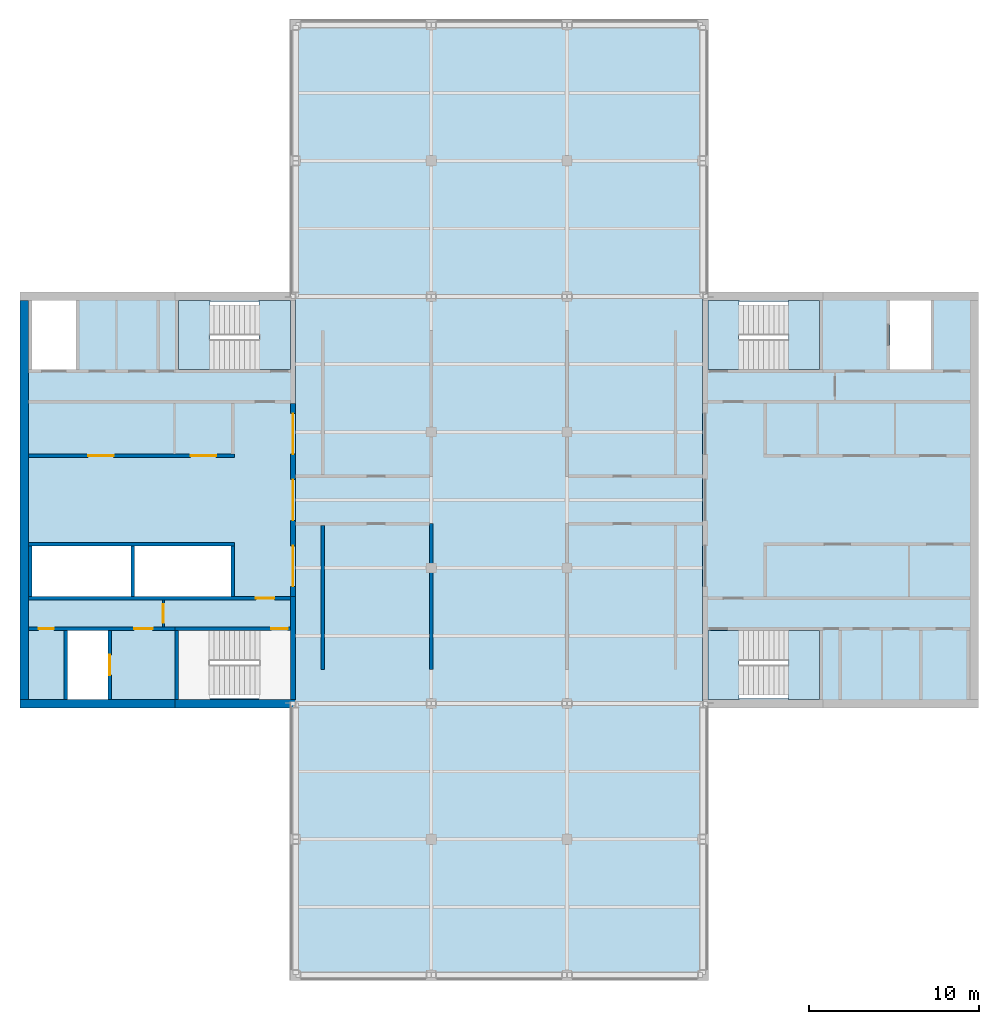
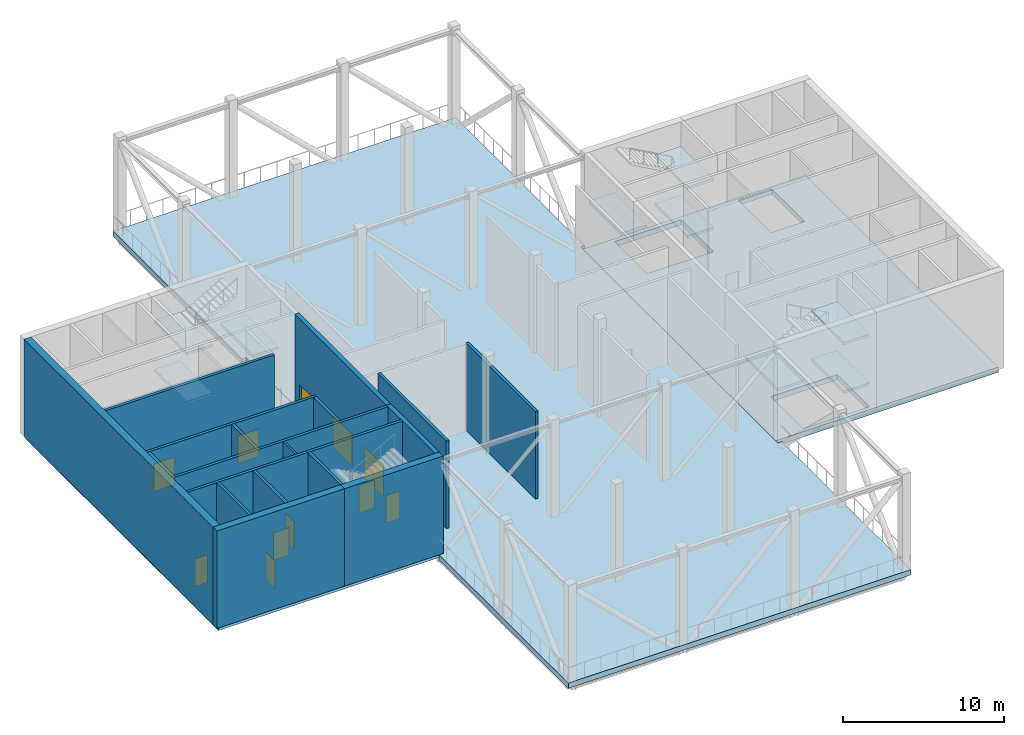
# One storey, part 2 of 9: 19 walls, 12 slabs, 11 doors, 11 openings, 3 elements without a shape of their own.
"""IFC4 building model written with IfcOpenShell, lengths in metres."""

from ifc_helpers import new_model, si_unit, direction, frame, frame_2d, origin, place, context, subcontext, project, spatial, polyline, rectangle, outline, extrude, material, layer, layer_set, constituent, constituent_set, type_object, element, fill, aggregate, save


model = new_model("IFC4")

# Units and contexts
model_context = context("Model", 3, precision=1e-05, world=origin(), true_north=direction((0.0, 1.0)))
body_context = subcontext(model_context, "Body", "Model", "MODEL_VIEW")
ifc_project = project(units=[si_unit("LENGTHUNIT", "METRE"), si_unit("AREAUNIT", "SQUARE_METRE"), si_unit("VOLUMEUNIT", "CUBIC_METRE"), si_unit("PLANEANGLEUNIT", "RADIAN"), si_unit("MASSUNIT", "GRAM", prefix="KILO")], contexts=[model_context])

# Site, building, storey
site_placement = place(None, origin())
site = spatial("IfcSite", under=ifc_project, at=site_placement, CompositionType="ELEMENT")
building_placement = place(site_placement, origin())
building = spatial("IfcBuilding", under=site, at=building_placement, Name="Crosswind Convention Tower", CompositionType="ELEMENT")
storey_placement = place(building_placement, frame((0.0, 0.0, 303.89990234375)))
storey = spatial("IfcBuildingStorey", under=building, at=storey_placement, Name="L66", CompositionType="ELEMENT", Elevation=303.89990234375)

# Slabs
ifc_material_1 = material(Name="Concrete C40/50", Category="concrete")
ifc_layer_1 = layer(ifc_material_1, 0.39990234375)
ifc_layer_set_1 = layer_set([ifc_layer_1], Name="Concrete C40/50")
slab_type_1 = type_object("IfcSlabType", Name="Composite floor slab 400", PredefinedType="FLOOR", material=ifc_layer_set_1)
slab_1_placement = place(storey_placement, frame((0.0, 0.0, -0.39990234375)))
element("IfcSlab", 1, at=slab_1_placement, inside=storey, type_object=slab_type_1, Name="Floor slab L66", PredefinedType="FLOOR", context=body_context, shape_type="SweptSolid", body=[
    extrude(outline(polyline([(137.300048828125, 71.699951171875), (137.0, 71.699951171875), (113.0, 71.699951171875), (112.699951171875, 71.699951171875), (112.699951171875, 72.0), (112.699951171875, 87.75), (113.0, 87.75), (113.0, 112.25), (112.699951171875, 112.25), (112.699951171875, 128.0), (112.699951171875, 128.300048828125), (113.0, 128.300048828125), (137.0, 128.300048828125), (137.300048828125, 128.300048828125), (137.300048828125, 128.0), (137.300048828125, 112.25), (137.0, 112.25), (137.0, 87.75), (137.300048828125, 87.75), (137.300048828125, 72.0), (137.300048828125, 71.699951171875)])), origin(), (0.0, 0.0, 1.0), 0.39990234375),
])
ifc_layer_2 = layer(ifc_material_1, 0.39990234375)
ifc_layer_set_2 = layer_set([ifc_layer_2], Name="Concrete C40/50")
slab_type_2 = type_object("IfcSlabType", Name="Concrete core floor slab 400", PredefinedType="FLOOR", material=ifc_layer_set_2)
slab_2_placement = place(storey_placement, frame((0.0, 0.0, -0.39990234375)))
element("IfcSlab", 2, at=slab_2_placement, inside=storey, type_object=slab_type_2, Name="Core floor slab E L66", PredefinedType="FLOOR", context=body_context, shape_type="SweptSolid", body=[
    extrude(outline(polyline([(137.0, 88.0), (153.0, 88.0), (153.0, 112.0), (137.0, 112.0), (137.0, 88.0)]), holes=[polyline([(150.449951171875, 107.699951171875), (150.449951171875, 111.75), (148.050048828125, 111.75), (148.050048828125, 107.699951171875), (150.449951171875, 107.699951171875)]), polyline([(143.89990234375, 107.699951171875), (143.89990234375, 111.699951171875), (139.14990234375, 111.699951171875), (139.14990234375, 107.699951171875), (143.89990234375, 107.699951171875)]), polyline([(143.89990234375, 88.300048828125), (143.89990234375, 92.300048828125), (139.14990234375, 92.300048828125), (139.14990234375, 88.300048828125), (143.89990234375, 88.300048828125)])]), origin(), (0.0, 0.0, 1.0), 0.39990234375),
])
slab_3_placement = place(storey_placement, frame((0.0, 0.0, -0.39990234375)))
element("IfcSlab", 3, at=slab_3_placement, inside=storey, type_object=slab_type_2, Name="Core floor slab W L66", PredefinedType="FLOOR", context=body_context, shape_type="SweptSolid", body=[
    extrude(outline(polyline([(97.0, 88.0), (113.0, 88.0), (113.0, 112.0), (97.0, 112.0), (97.0, 88.0)]), holes=[polyline([(109.199951171875, 94.300048828125), (109.199951171875, 97.300048828125), (103.5, 97.300048828125), (103.5, 94.300048828125), (109.199951171875, 94.300048828125)]), polyline([(103.300048828125, 94.300048828125), (103.300048828125, 97.300048828125), (97.449951171875, 97.300048828125), (97.449951171875, 94.300048828125), (103.300048828125, 94.300048828125)]), polyline([(101.949951171875, 88.25), (101.949951171875, 92.300048828125), (99.550048828125, 92.300048828125), (99.550048828125, 88.25), (101.949951171875, 88.25)]), polyline([(100.050048828125, 107.699951171875), (100.050048828125, 111.75), (97.449951171875, 111.75), (97.449951171875, 107.699951171875), (100.050048828125, 107.699951171875)]), polyline([(110.85009765625, 88.300048828125), (110.85009765625, 92.300048828125), (106.10009765625, 92.300048828125), (106.10009765625, 88.300048828125), (110.85009765625, 88.300048828125)]), polyline([(110.85009765625, 107.699951171875), (110.85009765625, 111.699951171875), (106.10009765625, 111.699951171875), (106.10009765625, 107.699951171875), (110.85009765625, 107.699951171875)])]), origin(), (0.0, 0.0, 1.0), 0.39990234375),
])

# Stair, slabs
stair_type = type_object("IfcStairType", Name="Exit stair 1800 wide, 4 flights of 11 risers", PredefinedType="HALF_TURN_STAIR", material=ifc_material_1)
stair_1_placement = place(storey_placement, origin())
stair_1 = element("IfcStair", 4, at=stair_1_placement, inside=storey, type_object=stair_type, Name="Exit stair ST1 L66", ObjectType="ST6", PredefinedType="HALF_TURN_STAIR")
ifc_layer_3 = layer(ifc_material_1, 0.199951171875)
ifc_layer_set_3 = layer_set([ifc_layer_3], Name="Concrete C40/50")
slab_type_3 = type_object("IfcSlabType", Name="Stair landing 200", PredefinedType="LANDING", material=ifc_layer_set_3)
slab_4_placement = place(storey_placement, frame((0.0, 0.0, 1.650146484375)))
slab_4 = element("IfcSlab", 5, at=slab_4_placement, type_object=slab_type_3, Name="ST1 landing 1", PredefinedType="LANDING", context=body_context, shape_type="SweptSolid", body=[
    extrude(outline(polyline([(143.89990234375, 107.699951171875), (143.89990234375, 111.75), (142.050048828125, 111.75), (142.050048828125, 107.699951171875), (143.89990234375, 107.699951171875)])), origin(), (0.0, 0.0, 1.0), 0.199951171875),
])
slab_5_placement = place(storey_placement, frame((0.0, 0.0, 3.5)))
slab_5 = element("IfcSlab", 6, at=slab_5_placement, type_object=slab_type_3, Name="ST1 landing 2", PredefinedType="LANDING", context=body_context, shape_type="SweptSolid", body=[
    extrude(outline(polyline([(139.14990234375, 107.699951171875), (139.14990234375, 111.75), (137.300048828125, 111.75), (137.300048828125, 107.699951171875), (139.14990234375, 107.699951171875)])), origin(), (0.0, 0.0, 1.0), 0.2001953125),
])
slab_6_placement = place(storey_placement, frame((0.0, 0.0, 5.35009765625)))
slab_6 = element("IfcSlab", 7, at=slab_6_placement, type_object=slab_type_3, Name="ST1 landing 3", PredefinedType="LANDING", context=body_context, shape_type="SweptSolid", body=[
    extrude(outline(polyline([(143.89990234375, 107.699951171875), (143.89990234375, 111.75), (142.050048828125, 111.75), (142.050048828125, 107.699951171875), (143.89990234375, 107.699951171875)])), origin(), (0.0, 0.0, 1.0), 0.199951171875),
])
aggregate(stair_1, [slab_4, slab_5, slab_6])

stair_2_placement = place(storey_placement, origin())
stair_2 = element("IfcStair", 8, at=stair_2_placement, inside=storey, type_object=stair_type, Name="Exit stair ST2 L66", ObjectType="ST6", PredefinedType="HALF_TURN_STAIR")
slab_7_placement = place(storey_placement, frame((0.0, 0.0, 1.650146484375)))
slab_7 = element("IfcSlab", 9, at=slab_7_placement, type_object=slab_type_3, Name="ST2 landing 1", PredefinedType="LANDING", context=body_context, shape_type="SweptSolid", body=[
    extrude(outline(polyline([(143.89990234375, 88.25), (143.89990234375, 92.300048828125), (142.050048828125, 92.300048828125), (142.050048828125, 88.25), (143.89990234375, 88.25)])), origin(), (0.0, 0.0, 1.0), 0.199951171875),
])
slab_8_placement = place(storey_placement, frame((0.0, 0.0, 3.5)))
slab_8 = element("IfcSlab", 10, at=slab_8_placement, type_object=slab_type_3, Name="ST2 landing 2", PredefinedType="LANDING", context=body_context, shape_type="SweptSolid", body=[
    extrude(outline(polyline([(139.14990234375, 88.25), (139.14990234375, 92.300048828125), (137.300048828125, 92.300048828125), (137.300048828125, 88.25), (139.14990234375, 88.25)])), origin(), (0.0, 0.0, 1.0), 0.2001953125),
])
slab_9_placement = place(storey_placement, frame((0.0, 0.0, 5.35009765625)))
slab_9 = element("IfcSlab", 11, at=slab_9_placement, type_object=slab_type_3, Name="ST2 landing 3", PredefinedType="LANDING", context=body_context, shape_type="SweptSolid", body=[
    extrude(outline(polyline([(143.89990234375, 88.25), (143.89990234375, 92.300048828125), (142.050048828125, 92.300048828125), (142.050048828125, 88.25), (143.89990234375, 88.25)])), origin(), (0.0, 0.0, 1.0), 0.199951171875),
])
aggregate(stair_2, [slab_7, slab_8, slab_9])

stair_3_placement = place(storey_placement, origin())
stair_3 = element("IfcStair", 12, at=stair_3_placement, inside=storey, type_object=stair_type, Name="Exit stair ST4 L66", ObjectType="ST6", PredefinedType="HALF_TURN_STAIR")
slab_10_placement = place(storey_placement, frame((0.0, 0.0, 1.650146484375)))
slab_10 = element("IfcSlab", 13, at=slab_10_placement, type_object=slab_type_3, Name="ST4 landing 1", PredefinedType="LANDING", context=body_context, shape_type="SweptSolid", body=[
    extrude(outline(polyline([(107.949951171875, 107.699951171875), (107.949951171875, 111.75), (106.10009765625, 111.75), (106.10009765625, 107.699951171875), (107.949951171875, 107.699951171875)])), origin(), (0.0, 0.0, 1.0), 0.199951171875),
])
slab_11_placement = place(storey_placement, frame((0.0, 0.0, 3.5)))
slab_11 = element("IfcSlab", 14, at=slab_11_placement, type_object=slab_type_3, Name="ST4 landing 2", PredefinedType="LANDING", context=body_context, shape_type="SweptSolid", body=[
    extrude(outline(polyline([(112.699951171875, 107.699951171875), (112.699951171875, 111.75), (110.85009765625, 111.75), (110.85009765625, 107.699951171875), (112.699951171875, 107.699951171875)])), origin(), (0.0, 0.0, 1.0), 0.2001953125),
])
slab_12_placement = place(storey_placement, frame((0.0, 0.0, 5.35009765625)))
slab_12 = element("IfcSlab", 15, at=slab_12_placement, type_object=slab_type_3, Name="ST4 landing 3", PredefinedType="LANDING", context=body_context, shape_type="SweptSolid", body=[
    extrude(outline(polyline([(107.949951171875, 107.699951171875), (107.949951171875, 111.75), (106.10009765625, 111.75), (106.10009765625, 107.699951171875), (107.949951171875, 107.699951171875)])), origin(), (0.0, 0.0, 1.0), 0.199951171875),
])
aggregate(stair_3, [slab_10, slab_11, slab_12])

# Walls
ifc_material_2 = material(Name="Concrete blockwork", Category="masonry")
ifc_layer_4 = layer(ifc_material_2, 0.199951171875)
ifc_layer_set_4 = layer_set([ifc_layer_4], Name="COMPARTMENT WALL 200 BLOCKWORK")
wall_type_1 = type_object("IfcWallType", Name="COMPARTMENT WALL 200 BLOCKWORK", PredefinedType="SOLIDWALL", material=ifc_layer_set_4)
wall_1_placement = place(storey_placement, frame((114.60009765625, 90.0, 0.0), z_axis=(0.0, 0.0, 1.0), x_axis=(0.0, 1.0, 0.0)))
element("IfcWall", 16, at=wall_1_placement, inside=storey, type_object=wall_type_1, Name="Compartment wall WT42", PredefinedType="SOLIDWALL", context=body_context, shape_type="SweptSolid", body=[
    extrude(rectangle(XDim=8.5, YDim=0.199951171875, at=frame_2d((4.25, 0.0))), origin(), (0.0, 0.0, 1.0), 6.642822265625),
])
wall_2_placement = place(storey_placement, frame((121.0, 90.0, 0.0), z_axis=(0.0, 0.0, 1.0), x_axis=(0.0, 1.0, 0.0)))
element("IfcWall", 17, at=wall_2_placement, inside=storey, type_object=wall_type_1, Name="Compartment wall WT42", PredefinedType="SOLIDWALL", context=body_context, shape_type="SweptSolid", body=[
    extrude(rectangle(XDim=8.60009765625, YDim=0.199951171875, at=frame_2d((4.300048828125, 0.0))), origin(), (0.0, 0.0, 1.0), 6.642822265625),
])

# Wall, openings, doors
ifc_material_3 = material(Name="Concrete C50/60", Category="concrete")
ifc_layer_5 = layer(ifc_material_3, 0.300048828125)
ifc_layer_set_5 = layer_set([ifc_layer_5], Name="Concrete C50/60")
wall_type_2 = type_object("IfcWallType", Name="Concrete inner core wall 300", PredefinedType="SHEAR", material=ifc_layer_set_5)
wall_3_placement = place(storey_placement, frame((112.85009765625, 105.699951171875, 0.0), z_axis=(0.0, 0.0, 1.0), x_axis=(0.0, -1.0, 0.0)))
wall_3 = element("IfcWall", 18, at=wall_3_placement, inside=storey, type_object=wall_type_2, Name="Wall SCR W L66", PredefinedType="SHEAR", context=body_context, shape_type="SweptSolid", body=[
    extrude(rectangle(XDim=11.39990234375, YDim=0.300048828125, at=frame_2d((5.699951171875, 0.0))), origin(), (0.0, 0.0, 1.0), 7.400146484375),
])
opening_1_placement = place(wall_3_placement, frame((0.60009765625, 0.0, 0.0)))
opening_1 = element("IfcOpeningElement", 19, at=opening_1_placement, cuts=wall_3, Name="Opening D100", PredefinedType="OPENING", context=body_context, shape_type="SweptSolid", body=[
    extrude(rectangle(XDim=2.39990234375, YDim=2.39990234375, at=frame_2d((1.199951171875, 1.199951171875))), frame((0.0, 0.159912109375, 0.0), z_axis=(0.0, -1.0, 0.0), x_axis=(1.0, 0.0, 0.0)), (0.0, 0.0, 1.0), 0.320068359375),
])
opening_2_placement = place(wall_3_placement, frame((4.5, 0.0, 0.0)))
opening_2 = element("IfcOpeningElement", 20, at=opening_2_placement, cuts=wall_3, Name="Opening D100", PredefinedType="OPENING", context=body_context, shape_type="SweptSolid", body=[
    extrude(rectangle(XDim=2.39990234375, YDim=2.39990234375, at=frame_2d((1.199951171875, 1.199951171875))), frame((0.0, 0.159912109375, 0.0), z_axis=(0.0, -1.0, 0.0), x_axis=(1.0, 0.0, 0.0)), (0.0, 0.0, 1.0), 0.320068359375),
])
opening_3_placement = place(wall_3_placement, frame((8.39990234375, 0.0, 0.0)))
opening_3 = element("IfcOpeningElement", 21, at=opening_3_placement, cuts=wall_3, Name="Opening D100", PredefinedType="OPENING", context=body_context, shape_type="SweptSolid", body=[
    extrude(rectangle(XDim=2.39990234375, YDim=2.39990234375, at=frame_2d((1.199951171875, 1.199951171875))), frame((0.0, 0.159912109375, 0.0), z_axis=(0.0, -1.0, 0.0), x_axis=(1.0, 0.0, 0.0)), (0.0, 0.0, 1.0), 0.320068359375),
])
ifc_material_4 = material(Name="Steel fire door with glazed vision panels", Category="steel")
door_type_1 = type_object("IfcDoorType", Name="Fire-rated double door 2400x2400", OperationType="DOUBLE_DOOR_SINGLE_SWING", PredefinedType="DOOR", material=ifc_material_4)
door_1_placement = place(opening_1_placement, origin())
door_1 = element("IfcDoor", 22, at=door_1_placement, inside=storey, type_object=door_type_1, Name="Lobby door 1 L66", ObjectType="D100", OperationType="DOUBLE_DOOR_SINGLE_SWING", OverallHeight=2.39990234375, OverallWidth=2.39990234375, PredefinedType="DOOR", context=body_context, shape_type="SweptSolid", body=[
    extrude(rectangle(XDim=2.39990234375, YDim=2.39990234375, at=frame_2d((1.199951171875, 1.199951171875))), frame((0.0, 0.02490234375, 0.0), z_axis=(0.0, -1.0, 0.0), x_axis=(1.0, 0.0, 0.0)), (0.0, 0.0, 1.0), 0.050048828125),
])
fill(opening_1, door_1)
door_2_placement = place(opening_2_placement, origin())
door_2 = element("IfcDoor", 23, at=door_2_placement, inside=storey, type_object=door_type_1, Name="Lobby door 2 L66", ObjectType="D100", OperationType="DOUBLE_DOOR_SINGLE_SWING", OverallHeight=2.39990234375, OverallWidth=2.39990234375, PredefinedType="DOOR", context=body_context, shape_type="SweptSolid", body=[
    extrude(rectangle(XDim=2.39990234375, YDim=2.39990234375, at=frame_2d((1.199951171875, 1.199951171875))), frame((0.0, 0.02490234375, 0.0), z_axis=(0.0, -1.0, 0.0), x_axis=(1.0, 0.0, 0.0)), (0.0, 0.0, 1.0), 0.050048828125),
])
fill(opening_2, door_2)
door_3_placement = place(opening_3_placement, origin())
door_3 = element("IfcDoor", 24, at=door_3_placement, inside=storey, type_object=door_type_1, Name="Lobby door 3 L66", ObjectType="D100", OperationType="DOUBLE_DOOR_SINGLE_SWING", OverallHeight=2.39990234375, OverallWidth=2.39990234375, PredefinedType="DOOR", context=body_context, shape_type="SweptSolid", body=[
    extrude(rectangle(XDim=2.39990234375, YDim=2.39990234375, at=frame_2d((1.199951171875, 1.199951171875))), frame((0.0, 0.02490234375, 0.0), z_axis=(0.0, -1.0, 0.0), x_axis=(1.0, 0.0, 0.0)), (0.0, 0.0, 1.0), 0.050048828125),
])
fill(opening_3, door_3)

# Walls
wall_4_placement = place(storey_placement, frame((112.85009765625, 94.300048828125, 0.0), z_axis=(0.0, 0.0, 1.0), x_axis=(0.0, -1.0, 0.0)))
element("IfcWall", 25, at=wall_4_placement, inside=storey, type_object=wall_type_2, Name="Wall EP W L66", PredefinedType="SHEAR", context=body_context, shape_type="SweptSolid", body=[
    extrude(rectangle(XDim=6.050048828125, YDim=0.300048828125, at=frame_2d((3.02490234375, 0.0))), origin(), (0.0, 0.0, 1.0), 7.400146484375),
])
ifc_layer_6 = layer(ifc_material_3, 0.199951171875)
ifc_layer_set_6 = layer_set([ifc_layer_6], Name="Concrete C50/60")
wall_type_3 = type_object("IfcWallType", Name="Concrete shaft and stair wall 200", PredefinedType="SHEAR", material=ifc_layer_set_6)
for number, where, z_axis, x_axis, name in (
    (26, (109.300048828125, 97.300048828125, 0.0), (0.0, 0.0, 1.0), (0.0, -1.0, 0.0), "Wall RPEND W L66"),
    (27, (103.39990234375, 97.300048828125, 0.0), (0.0, 0.0, 1.0), (0.0, -1.0, 0.0), "Wall RPSEP W L66"),
    (28, (97.35009765625, 97.300048828125, 0.0), (0.0, 0.0, 1.0), (0.0, -1.0, 0.0), "Wall RPEAST W L66"),
):
    element("IfcWall", number, at=place(storey_placement, frame(where, z_axis=z_axis, x_axis=x_axis)), inside=storey, type_object=wall_type_3, Name=name, PredefinedType="SHEAR", context=body_context, shape_type="SweptSolid", body=[
        extrude(rectangle(XDim=3.0, YDim=0.199951171875, at=frame_2d((1.5, 0.0))), origin(), (0.0, 0.0, 1.0), 7.400146484375),
    ])
wall_5_placement = place(storey_placement, frame((109.39990234375, 97.39990234375, 0.0), z_axis=(0.0, 0.0, 1.0), x_axis=(-1.0, 0.0, 0.0)))
element("IfcWall", 29, at=wall_5_placement, inside=storey, type_object=wall_type_3, Name="Wall RPFRONT W L66", PredefinedType="SHEAR", context=body_context, shape_type="SweptSolid", body=[
    extrude(rectangle(XDim=12.14990234375, YDim=0.199951171875, at=frame_2d((6.074951171875, 0.0))), origin(), (0.0, 0.0, 1.0), 7.400146484375),
])

# Wall, openings, doors
wall_6_placement = place(storey_placement, frame((109.39990234375, 102.60009765625, 0.0), z_axis=(0.0, 0.0, 1.0), x_axis=(-1.0, 0.0, 0.0)))
wall_6 = element("IfcWall", 30, at=wall_6_placement, inside=storey, type_object=wall_type_3, Name="Wall RMFRONT W L66", PredefinedType="SHEAR", context=body_context, shape_type="SweptSolid", body=[
    extrude(rectangle(XDim=12.14990234375, YDim=0.199951171875, at=frame_2d((6.074951171875, 0.0))), origin(), (0.0, 0.0, 1.0), 7.400146484375),
])
opening_4_placement = place(wall_6_placement, frame((1.091796875, 0.0, 0.0)))
opening_4 = element("IfcOpeningElement", 31, at=opening_4_placement, cuts=wall_6, Name="Opening D108", PredefinedType="OPENING", context=body_context, shape_type="SweptSolid", body=[
    extrude(rectangle(XDim=1.5, YDim=2.10009765625, at=frame_2d((0.75, 1.050048828125))), frame((0.0, 0.10986328125, 0.0), z_axis=(0.0, -1.0, 0.0), x_axis=(1.0, 0.0, 0.0)), (0.0, 0.0, 1.0), 0.219970703125),
])
opening_5_placement = place(wall_6_placement, frame((7.129150390625, 0.0, 0.0)))
opening_5 = element("IfcOpeningElement", 32, at=opening_5_placement, cuts=wall_6, Name="Opening D108", PredefinedType="OPENING", context=body_context, shape_type="SweptSolid", body=[
    extrude(rectangle(XDim=1.5, YDim=2.10009765625, at=frame_2d((0.75, 1.050048828125))), frame((0.0, 0.10986328125, 0.0), z_axis=(0.0, -1.0, 0.0), x_axis=(1.0, 0.0, 0.0)), (0.0, 0.0, 1.0), 0.219970703125),
])
ifc_material_5 = material(Name="Steel fire door", Category="steel")
door_type_2 = type_object("IfcDoorType", Name="Plant room double door 1500x2100", OperationType="DOUBLE_DOOR_SINGLE_SWING", PredefinedType="DOOR", material=ifc_material_5)
door_4_placement = place(opening_4_placement, frame((1.5, 0.0, 0.0), z_axis=(0.0, 0.0, 1.0), x_axis=(-1.0, 0.0, 0.0)))
door_4 = element("IfcDoor", 33, at=door_4_placement, inside=storey, type_object=door_type_2, Name="Door to plant room L66", ObjectType="D108", OperationType="DOUBLE_DOOR_SINGLE_SWING", OverallHeight=2.10009765625, OverallWidth=1.5, PredefinedType="DOOR", context=body_context, shape_type="SweptSolid", body=[
    extrude(rectangle(XDim=1.5, YDim=2.10009765625, at=frame_2d((0.75, 1.050048828125))), frame((0.0, 0.02490234375, 0.0), z_axis=(0.0, -1.0, 0.0), x_axis=(1.0, 0.0, 0.0)), (0.0, 0.0, 1.0), 0.050048828125),
])
fill(opening_4, door_4)
door_5_placement = place(opening_5_placement, frame((1.5, 0.0, 0.0), z_axis=(0.0, 0.0, 1.0), x_axis=(-1.0, 0.0, 0.0)))
door_5 = element("IfcDoor", 34, at=door_5_placement, inside=storey, type_object=door_type_2, Name="Door to electrical plant room L66", ObjectType="D108", OperationType="DOUBLE_DOOR_SINGLE_SWING", OverallHeight=2.10009765625, OverallWidth=1.5, PredefinedType="DOOR", context=body_context, shape_type="SweptSolid", body=[
    extrude(rectangle(XDim=1.5, YDim=2.10009765625, at=frame_2d((0.75, 1.050048828125))), frame((0.0, 0.02490234375, 0.0), z_axis=(0.0, -1.0, 0.0), x_axis=(1.0, 0.0, 0.0)), (0.0, 0.0, 1.0), 0.050048828125),
])
fill(opening_5, door_5)

# Wall, opening, door
wall_7_placement = place(storey_placement, frame((112.699951171875, 94.199951171875, 0.0), z_axis=(0.0, 0.0, 1.0), x_axis=(-1.0, 0.0, 0.0)))
wall_7 = element("IfcWall", 35, at=wall_7_placement, inside=storey, type_object=wall_type_3, Name="Wall HP W L66", PredefinedType="SHEAR", context=body_context, shape_type="SweptSolid", body=[
    extrude(rectangle(XDim=15.449951171875, YDim=0.199951171875, at=frame_2d((7.72509765625, 0.0))), origin(), (0.0, 0.0, 1.0), 7.400146484375),
])
opening_6_placement = place(wall_7_placement, frame((0.949951171875, 0.0, 0.0)))
opening_6 = element("IfcOpeningElement", 36, at=opening_6_placement, cuts=wall_7, Name="Opening D104", PredefinedType="OPENING", context=body_context, shape_type="SweptSolid", body=[
    extrude(rectangle(XDim=1.10009765625, YDim=2.10009765625, at=frame_2d((0.550048828125, 1.050048828125))), frame((0.0, 0.10986328125, 0.0), z_axis=(0.0, -1.0, 0.0), x_axis=(1.0, 0.0, 0.0)), (0.0, 0.0, 1.0), 0.219970703125),
])
door_type_3 = type_object("IfcDoorType", Name="Fire-rated single door 1100x2100", OperationType="NOTDEFINED", PredefinedType="DOOR", material=ifc_material_5)
door_6_placement = place(opening_6_placement, origin())
door_6 = element("IfcDoor", 37, at=door_6_placement, inside=storey, type_object=door_type_3, Name="Corridor door L66", ObjectType="D104", OperationType="SINGLE_SWING_LEFT", OverallHeight=2.10009765625, OverallWidth=1.10009765625, PredefinedType="DOOR", context=body_context, shape_type="SweptSolid", body=[
    extrude(rectangle(XDim=1.10009765625, YDim=2.10009765625, at=frame_2d((0.550048828125, 1.050048828125))), frame((0.0, 0.02490234375, 0.0), z_axis=(0.0, -1.0, 0.0), x_axis=(1.0, 0.0, 0.0)), (0.0, 0.0, 1.0), 0.050048828125),
])
fill(opening_6, door_6)

# Wall
wall_8_placement = place(storey_placement, frame((106.0, 92.300048828125, 0.0), z_axis=(0.0, 0.0, 1.0), x_axis=(0.0, -1.0, 0.0)))
element("IfcWall", 38, at=wall_8_placement, inside=storey, type_object=wall_type_3, Name="Wall PSE W L66", PredefinedType="SHEAR", context=body_context, shape_type="SweptSolid", body=[
    extrude(rectangle(XDim=4.050048828125, YDim=0.199951171875, at=frame_2d((2.02490234375, 0.0))), origin(), (0.0, 0.0, 1.0), 7.400146484375),
])

# Wall, opening, door
wall_9_placement = place(storey_placement, frame((102.050048828125, 92.300048828125, 0.0), z_axis=(0.0, 0.0, 1.0), x_axis=(0.0, -1.0, 0.0)))
wall_9 = element("IfcWall", 39, at=wall_9_placement, inside=storey, type_object=wall_type_3, Name="Wall PFLW W L66", PredefinedType="SHEAR", context=body_context, shape_type="SweptSolid", body=[
    extrude(rectangle(XDim=4.050048828125, YDim=0.199951171875, at=frame_2d((2.02490234375, 0.0))), origin(), (0.0, 0.0, 1.0), 7.400146484375),
])
opening_7_placement = place(wall_9_placement, frame((1.425048828125, 0.0, 0.0)))
opening_7 = element("IfcOpeningElement", 40, at=opening_7_placement, cuts=wall_9, Name="Opening LD1", PredefinedType="OPENING", context=body_context, shape_type="SweptSolid", body=[
    extrude(rectangle(XDim=1.199951171875, YDim=2.10009765625, at=frame_2d((0.60009765625, 1.050048828125))), frame((0.0, 0.10986328125, 0.0), z_axis=(0.0, -1.0, 0.0), x_axis=(1.0, 0.0, 0.0)), (0.0, 0.0, 1.0), 0.219970703125),
])
ifc_material_6 = material(Name="Stainless steel", Category="steel")
door_type_4 = type_object("IfcDoorType", Name="Lift landing door 1200x2100", OperationType="DOUBLE_DOOR_SLIDING", PredefinedType="DOOR", material=ifc_material_6)
door_7_placement = place(opening_7_placement, origin())
door_7 = element("IfcDoor", 41, at=door_7_placement, inside=storey, type_object=door_type_4, Name="Landing door FF2 L66", ObjectType="LD1", OperationType="DOUBLE_DOOR_SLIDING", OverallHeight=2.10009765625, OverallWidth=1.199951171875, PredefinedType="DOOR", context=body_context, shape_type="SweptSolid", body=[
    extrude(rectangle(XDim=1.199951171875, YDim=2.10009765625, at=frame_2d((0.60009765625, 1.050048828125))), frame((0.0, 0.02490234375, 0.0), z_axis=(0.0, -1.0, 0.0), x_axis=(1.0, 0.0, 0.0)), (0.0, 0.0, 1.0), 0.050048828125),
])
fill(opening_7, door_7)

# Wall
wall_10_placement = place(storey_placement, frame((99.449951171875, 92.300048828125, 0.0), z_axis=(0.0, 0.0, 1.0), x_axis=(0.0, -1.0, 0.0)))
element("IfcWall", 42, at=wall_10_placement, inside=storey, type_object=wall_type_3, Name="Wall PFSE W L66", PredefinedType="SHEAR", context=body_context, shape_type="SweptSolid", body=[
    extrude(rectangle(XDim=4.050048828125, YDim=0.199951171875, at=frame_2d((2.02490234375, 0.0))), origin(), (0.0, 0.0, 1.0), 7.400146484375),
])

# Wall, opening, door
wall_11_placement = place(storey_placement, frame((112.699951171875, 92.39990234375, 0.0), z_axis=(0.0, 0.0, 1.0), x_axis=(-1.0, 0.0, 0.0)))
wall_11 = element("IfcWall", 43, at=wall_11_placement, inside=storey, type_object=wall_type_3, Name="Wall PCW W L66", PredefinedType="SHEAR", context=body_context, shape_type="SweptSolid", body=[
    extrude(rectangle(XDim=6.800048828125, YDim=0.199951171875, at=frame_2d((3.39990234375, 0.0))), origin(), (0.0, 0.0, 1.0), 7.400146484375),
])
opening_8_placement = place(wall_11_placement, frame((0.14990234375, 0.0, 0.0)))
opening_8 = element("IfcOpeningElement", 44, at=opening_8_placement, cuts=wall_11, Name="Opening D103", PredefinedType="OPENING", context=body_context, shape_type="SweptSolid", body=[
    extrude(rectangle(XDim=1.0, YDim=2.10009765625, at=frame_2d((0.5, 1.050048828125))), frame((0.0, 0.10986328125, 0.0), z_axis=(0.0, -1.0, 0.0), x_axis=(1.0, 0.0, 0.0)), (0.0, 0.0, 1.0), 0.219970703125),
])
door_type_5 = type_object("IfcDoorType", Name="Fire-rated single door 1000x2100", OperationType="NOTDEFINED", PredefinedType="DOOR", material=ifc_material_5)
door_8_placement = place(opening_8_placement, origin())
door_8 = element("IfcDoor", 45, at=door_8_placement, inside=storey, type_object=door_type_5, Name="Stair ST3 door L66", ObjectType="D103", OperationType="SINGLE_SWING_LEFT", OverallHeight=2.10009765625, OverallWidth=1.0, PredefinedType="DOOR", context=body_context, shape_type="SweptSolid", body=[
    extrude(rectangle(XDim=1.0, YDim=2.10009765625, at=frame_2d((0.5, 1.050048828125))), frame((0.0, 0.02490234375, 0.0), z_axis=(0.0, -1.0, 0.0), x_axis=(1.0, 0.0, 0.0)), (0.0, 0.0, 1.0), 0.050048828125),
])
fill(opening_8, door_8)

# Wall, openings, doors
wall_12_placement = place(storey_placement, frame((105.89990234375, 92.39990234375, 0.0), z_axis=(0.0, 0.0, 1.0), x_axis=(-1.0, 0.0, 0.0)))
wall_12 = element("IfcWall", 46, at=wall_12_placement, inside=storey, type_object=wall_type_3, Name="Wall PCX W L66", PredefinedType="SHEAR", context=body_context, shape_type="SweptSolid", body=[
    extrude(rectangle(XDim=8.64990234375, YDim=0.199951171875, at=frame_2d((4.324951171875, 0.0))), origin(), (0.0, 0.0, 1.0), 7.400146484375),
])
opening_9_placement = place(wall_12_placement, frame((1.324951171875, 0.0, 0.0)))
opening_9 = element("IfcOpeningElement", 47, at=opening_9_placement, cuts=wall_12, Name="Opening D104", PredefinedType="OPENING", context=body_context, shape_type="SweptSolid", body=[
    extrude(rectangle(XDim=1.10009765625, YDim=2.10009765625, at=frame_2d((0.550048828125, 1.050048828125))), frame((0.0, 0.10986328125, 0.0), z_axis=(0.0, -1.0, 0.0), x_axis=(1.0, 0.0, 0.0)), (0.0, 0.0, 1.0), 0.219970703125),
])
opening_10_placement = place(wall_12_placement, frame((7.14990234375, 0.0, 0.0)))
opening_10 = element("IfcOpeningElement", 48, at=opening_10_placement, cuts=wall_12, Name="Opening D106", PredefinedType="OPENING", context=body_context, shape_type="SweptSolid", body=[
    extrude(rectangle(XDim=0.89990234375, YDim=2.10009765625, at=frame_2d((0.449951171875, 1.050048828125))), frame((0.0, 0.10986328125, 0.0), z_axis=(0.0, -1.0, 0.0), x_axis=(1.0, 0.0, 0.0)), (0.0, 0.0, 1.0), 0.219970703125),
])
door_9_placement = place(opening_9_placement, origin())
door_9 = element("IfcDoor", 49, at=door_9_placement, inside=storey, type_object=door_type_3, Name="Fire-fighting lobby FF2 door L66", ObjectType="D104", OperationType="SINGLE_SWING_RIGHT", OverallHeight=2.10009765625, OverallWidth=1.10009765625, PredefinedType="DOOR", context=body_context, shape_type="SweptSolid", body=[
    extrude(rectangle(XDim=1.10009765625, YDim=2.10009765625, at=frame_2d((0.550048828125, 1.050048828125))), frame((0.0, 0.02490234375, 0.0), z_axis=(0.0, -1.0, 0.0), x_axis=(1.0, 0.0, 0.0)), (0.0, 0.0, 1.0), 0.050048828125),
])
fill(opening_9, door_9)
ifc_material_7 = material(Name="Timber door", Category="wood")
door_type_6 = type_object("IfcDoorType", Name="Single leaf door 900x2100", OperationType="NOTDEFINED", PredefinedType="DOOR", material=ifc_material_7)
door_10_placement = place(opening_10_placement, origin())
door_10 = element("IfcDoor", 50, at=door_10_placement, inside=storey, type_object=door_type_6, Name="Door to pump room L66", ObjectType="D106", OperationType="SINGLE_SWING_RIGHT", OverallHeight=2.10009765625, OverallWidth=0.89990234375, PredefinedType="DOOR", context=body_context, shape_type="SweptSolid", body=[
    extrude(rectangle(XDim=0.89990234375, YDim=2.10009765625, at=frame_2d((0.449951171875, 1.050048828125))), frame((0.0, 0.02490234375, 0.0), z_axis=(0.0, -1.0, 0.0), x_axis=(1.0, 0.0, 0.0)), (0.0, 0.0, 1.0), 0.050048828125),
])
fill(opening_10, door_10)

# Wall, opening, door
ifc_material_8 = material(Name="Gypsum plasterboard partition", Category="gypsum")
ifc_layer_7 = layer(ifc_material_8, 0.125)
ifc_layer_set_7 = layer_set([ifc_layer_7], Name="Drywall partition wall 125")
wall_type_4 = type_object("IfcWallType", Name="Drywall partition wall 125", PredefinedType="PARTITIONING", material=ifc_layer_set_7)
wall_13_placement = place(storey_placement, frame((105.199951171875, 94.10009765625, 0.0), z_axis=(0.0, 0.0, 1.0), x_axis=(0.0, -1.0, 0.0)))
wall_13 = element("IfcWall", 51, at=wall_13_placement, inside=storey, type_object=wall_type_4, Name="Wall PXC1 W L66", PredefinedType="PARTITIONING", context=body_context, shape_type="SweptSolid", body=[
    extrude(rectangle(XDim=1.60009765625, YDim=0.125, at=frame_2d((0.800048828125, 0.0))), origin(), (0.0, 0.0, 1.0), 7.400146484375),
])
opening_11_placement = place(wall_13_placement, frame((0.25, 0.0, 0.0)))
opening_11 = element("IfcOpeningElement", 52, at=opening_11_placement, cuts=wall_13, Name="Opening D104", PredefinedType="OPENING", context=body_context, shape_type="SweptSolid", body=[
    extrude(rectangle(XDim=1.10009765625, YDim=2.10009765625, at=frame_2d((0.550048828125, 1.050048828125))), frame((0.0, 0.072509765625, 0.0), z_axis=(0.0, -1.0, 0.0), x_axis=(1.0, 0.0, 0.0)), (0.0, 0.0, 1.0), 0.14501953125),
])
door_11_placement = place(opening_11_placement, origin())
door_11 = element("IfcDoor", 53, at=door_11_placement, inside=storey, type_object=door_type_3, Name="Corridor smoke door L66", ObjectType="D104", OperationType="SINGLE_SWING_RIGHT", OverallHeight=2.10009765625, OverallWidth=1.10009765625, PredefinedType="DOOR", context=body_context, shape_type="SweptSolid", body=[
    extrude(rectangle(XDim=1.10009765625, YDim=2.10009765625, at=frame_2d((0.550048828125, 1.050048828125))), frame((0.0, 0.02490234375, 0.0), z_axis=(0.0, -1.0, 0.0), x_axis=(1.0, 0.0, 0.0)), (0.0, 0.0, 1.0), 0.050048828125),
])
fill(opening_11, door_11)

# Walls
ifc_material_9 = material(Name="Concrete C60/75", Category="concrete")
ifc_constituent_1 = constituent(ifc_material_9, Name="Structure")
ifc_material_10 = material(Name="Terracotta rainscreen", Category="ceramic")
ifc_constituent_2 = constituent(ifc_material_10, Name="Facing")
ifc_constituent_set = constituent_set(constituents=[ifc_constituent_1, ifc_constituent_2], Name="Concrete C60/75, Terracotta rainscreen")
wall_type_5 = type_object("IfcWallType", Name="Terracotta rainscreen on concrete core wall 500", PredefinedType="SHEAR", material=ifc_constituent_set)
wall_14_placement = place(storey_placement, frame((113.0, 88.0, 0.0), z_axis=(0.0, 0.0, 1.0), x_axis=(-1.0, 0.0, 0.0)))
element("IfcWall", 54, at=wall_14_placement, inside=storey, type_object=wall_type_5, Name="Wall N1 W L66", PredefinedType="SHEAR", context=body_context, shape_type="SweptSolid", body=[
    extrude(rectangle(XDim=7.10009765625, YDim=0.5, at=frame_2d((3.550048828125, 0.0))), origin(), (0.0, 0.0, 1.0), 7.400146484375),
])
wall_15_placement = place(storey_placement, frame((105.89990234375, 88.0, 0.0), z_axis=(0.0, 0.0, 1.0), x_axis=(-1.0, 0.0, 0.0)))
element("IfcWall", 55, at=wall_15_placement, inside=storey, type_object=wall_type_5, Name="Wall N2 W L66", PredefinedType="SHEAR", context=body_context, shape_type="SweptSolid", body=[
    extrude(rectangle(XDim=9.14990234375, YDim=0.5, at=frame_2d((4.574951171875, 0.0))), origin(), (0.0, 0.0, 1.0), 7.400146484375),
])
wall_16_placement = place(storey_placement, frame((97.0, 111.75, 0.0), z_axis=(0.0, 0.0, 1.0), x_axis=(0.0, -1.0, 0.0)))
element("IfcWall", 56, at=wall_16_placement, inside=storey, type_object=wall_type_5, Name="Wall O W L66", PredefinedType="SHEAR", context=body_context, shape_type="SweptSolid", body=[
    extrude(rectangle(XDim=23.5, YDim=0.5, at=frame_2d((11.75, 0.0))), origin(), (0.0, 0.0, 1.0), 7.400146484375),
])

save(model, "model.ifc")
